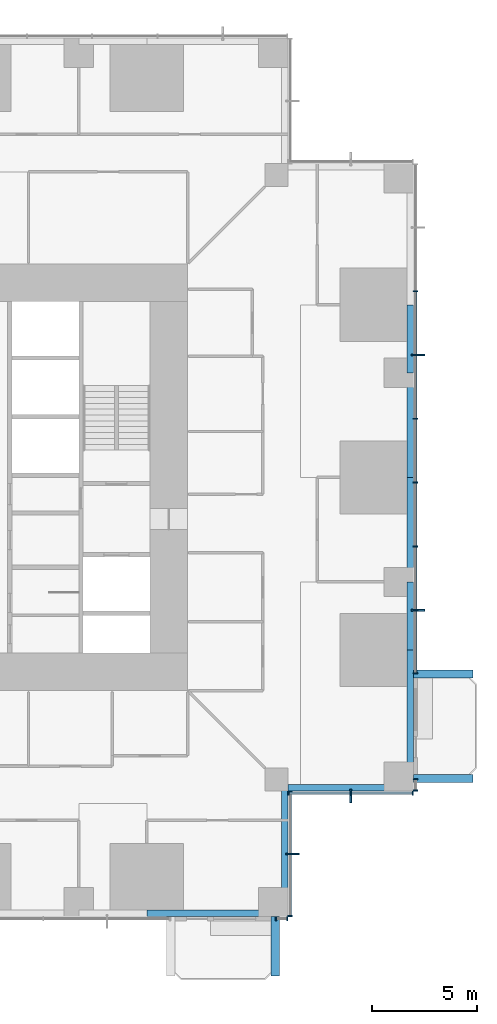
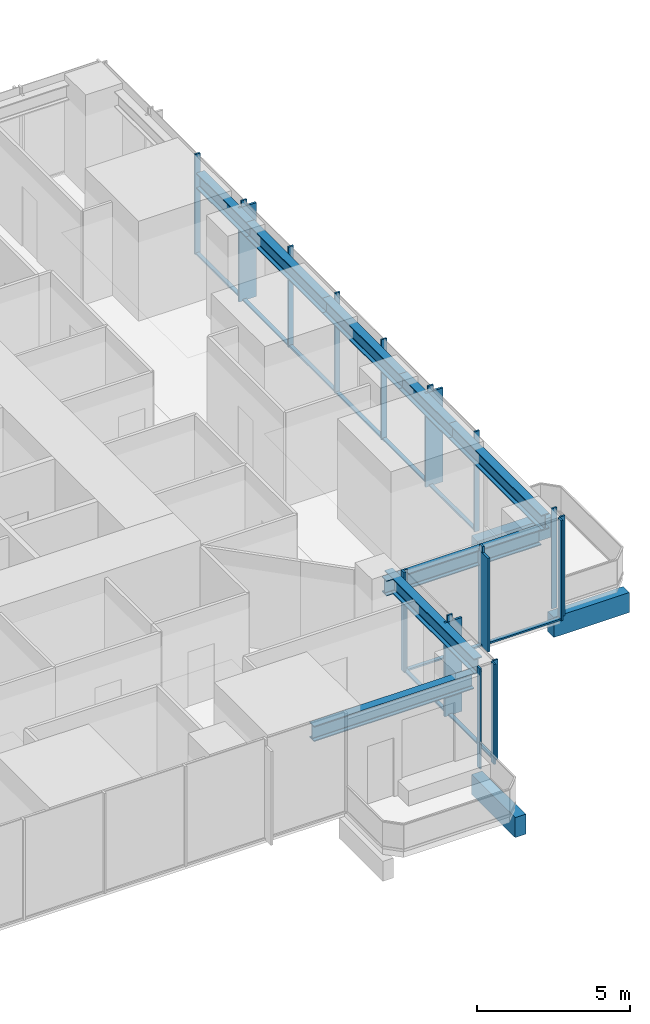
# One storey, part 4 of 16: 31 members, 11 beams, 5 elements without a shape of their own.
"""IFC4 building model written with IfcOpenShell, lengths in metres."""

from ifc_helpers import new_model, si_unit, direction, frame, origin, origin_2d, place, context, subcontext, project, spatial, rectangle, i_section, extrude, material, material_profile, profile_set, type_object, element, aggregate, save


model = new_model("IFC4")

# Units and contexts
model_context = context("Model", 3, precision=1e-05, world=origin(), true_north=direction((0.0, 1.0)))
body_context = subcontext(model_context, "Body", "Model", "MODEL_VIEW")
ifc_project = project(units=[si_unit("LENGTHUNIT", "METRE"), si_unit("AREAUNIT", "SQUARE_METRE"), si_unit("VOLUMEUNIT", "CUBIC_METRE"), si_unit("PLANEANGLEUNIT", "RADIAN"), si_unit("MASSUNIT", "GRAM", prefix="KILO")], contexts=[model_context])

# Site, building, storey
site_placement = place(None, origin())
site = spatial("IfcSite", under=ifc_project, at=site_placement, CompositionType="ELEMENT")
building_placement = place(site_placement, origin())
building = spatial("IfcBuilding", under=site, at=building_placement, Name="Svetlomir Tower", CompositionType="ELEMENT")
storey_placement = place(building_placement, frame((0.0, 0.0, 50.5)))
storey = spatial("IfcBuildingStorey", under=building, at=storey_placement, Name="L11", CompositionType="ELEMENT", Elevation=50.5)

# Beams
ifc_material_1 = material(Name="Concrete C60/75", Category="concrete")
ifc_material_profile_1 = material_profile(ifc_material_1, rectangle(XDim=0.39990234375, YDim=0.800048828125, at=origin_2d()), Name="RC 400x800")
ifc_profile_set_1 = profile_set([ifc_material_profile_1], Name="Concrete C60/75")
beam_type_1 = type_object("IfcBeamType", Name="BALCONY RIB RC 400x800", PredefinedType="BEAM", material=ifc_profile_set_1)
for number, where, z_axis, x_axis, name in (
    (1, (35.39990234375, 0.0, -0.64990234375), (0.0, -1.0, 0.0), (1.0, 0.0, 0.0), "Balcony rib S 2 L11"),
    (2, (42.0, 6.60009765625, -0.64990234375), (1.0, 0.0, 0.0), (0.0, 1.0, 0.0), "Balcony rib E 1 L11"),
    (3, (42.0, 11.60009765625, -0.64990234375), (1.0, 0.0, 0.0), (0.0, 1.0, 0.0), "Balcony rib E 2 L11"),
):
    element("IfcBeam", number, at=place(storey_placement, frame(where, z_axis=z_axis, x_axis=x_axis)), inside=storey, type_object=beam_type_1, Name=name, PredefinedType="BEAM", context=body_context, shape_type="SweptSolid", body=[
        extrude(rectangle(XDim=0.39990234375, YDim=0.800048828125, at=origin_2d()), origin(), (0.0, 0.0, 1.0), 2.85009765625),
    ])

# Curtain wall, member
ifc_material_2 = material(Name="Bronze anodised aluminium curtain wall", Category="aluminium")
curtain_wall_type = type_object("IfcCurtainWallType", Name="CURTAIN WALL CW1 TOWER OFFICE", PredefinedType="NOTDEFINED", material=ifc_material_2)
curtain_wall_1_placement = place(storey_placement, origin())
curtain_wall_1 = element("IfcCurtainWall", 4, at=curtain_wall_1_placement, inside=storey, type_object=curtain_wall_type, Name="Curtain wall CW1 L11", PredefinedType="NOTDEFINED")
ifc_material_3 = material(Name="Bronze anodised aluminium", Category="aluminium")
ifc_material_profile_2 = material_profile(ifc_material_3, rectangle(XDim=0.080078125, YDim=0.64990234375, at=origin_2d()), Name="FIN 80x650")
ifc_profile_set_2 = profile_set([ifc_material_profile_2], Name="Bronze anodised aluminium 6063-T6")
member_type_1 = type_object("IfcMemberType", Name="BRONZE FIN 80x650", PredefinedType="USERDEFINED", material=ifc_profile_set_2)
member_1_placement = place(storey_placement, frame((36.22509765625, 3.0, 0.0), z_axis=(0.0, 0.0, 1.0), x_axis=(0.0, 1.0, 0.0)))
member_1 = element("IfcMember", 5, at=member_1_placement, type_object=member_type_1, Name="Bronze fin L11", ObjectType="FIN", PredefinedType="USERDEFINED", context=body_context, shape_type="SweptSolid", body=[
    extrude(rectangle(XDim=0.080078125, YDim=0.64990234375, at=origin_2d()), origin(), (0.0, 0.0, 1.0), 3.75),
])

curtain_wall_2_placement = place(storey_placement, origin())
curtain_wall_2 = element("IfcCurtainWall", 6, at=curtain_wall_2_placement, inside=storey, type_object=curtain_wall_type, Name="Curtain wall CW1 L11", PredefinedType="NOTDEFINED")
member_2_placement = place(storey_placement, frame((39.0, 5.77490234375, 0.0), z_axis=(0.0, 0.0, 1.0), x_axis=(1.0, 0.0, 0.0)))
member_2 = element("IfcMember", 7, at=member_2_placement, type_object=member_type_1, Name="Bronze fin L11", ObjectType="FIN", PredefinedType="USERDEFINED", context=body_context, shape_type="SweptSolid", body=[
    extrude(rectangle(XDim=0.080078125, YDim=0.64990234375, at=origin_2d()), origin(), (0.0, 0.0, 1.0), 3.75),
])

# Curtain wall, members
curtain_wall_3_placement = place(storey_placement, origin())
curtain_wall_3 = element("IfcCurtainWall", 8, at=curtain_wall_3_placement, inside=storey, type_object=curtain_wall_type, Name="Curtain wall CW1 L11", PredefinedType="NOTDEFINED")
member_3_placement = place(storey_placement, frame((42.22509765625, 14.64990234375, 0.0), z_axis=(0.0, 0.0, 1.0), x_axis=(0.0, 1.0, 0.0)))
member_3 = element("IfcMember", 9, at=member_3_placement, type_object=member_type_1, Name="Bronze fin L11", ObjectType="FIN", PredefinedType="USERDEFINED", context=body_context, shape_type="SweptSolid", body=[
    extrude(rectangle(XDim=0.080078125, YDim=0.64990234375, at=origin_2d()), origin(), (0.0, 0.0, 1.0), 3.75),
])
member_4_placement = place(storey_placement, frame((42.22509765625, 26.85009765625, 0.0), z_axis=(0.0, 0.0, 1.0), x_axis=(0.0, 1.0, 0.0)))
member_4 = element("IfcMember", 10, at=member_4_placement, type_object=member_type_1, Name="Bronze fin L11", ObjectType="FIN", PredefinedType="USERDEFINED", context=body_context, shape_type="SweptSolid", body=[
    extrude(rectangle(XDim=0.080078125, YDim=0.64990234375, at=origin_2d()), origin(), (0.0, 0.0, 1.0), 3.75),
])

curtain_wall_4_placement = place(storey_placement, origin())
curtain_wall_4 = element("IfcCurtainWall", 11, at=curtain_wall_4_placement, inside=storey, type_object=curtain_wall_type, Name="Curtain wall CW1 L11", PredefinedType="NOTDEFINED")
ifc_material_4 = material(Name="Bronze anodised aluminium", Category="aluminium")
ifc_material_profile_3 = material_profile(ifc_material_4, rectangle(XDim=0.06494140625, YDim=0.199951171875, at=origin_2d()), Name="AL 65x200")
ifc_profile_set_3 = profile_set([ifc_material_profile_3], Name="Bronze anodised aluminium 6063-T6")
member_type_2 = type_object("IfcMemberType", Name="CW1 MULLION 65x200", PredefinedType="MULLION", material=ifc_profile_set_3)
member_5_placement = place(storey_placement, frame((35.4326171875, -0.10009765625, 0.0), z_axis=(0.0, 0.0, 1.0), x_axis=(1.0, 0.0, 0.0)))
member_5 = element("IfcMember", 12, at=member_5_placement, type_object=member_type_2, Name="CW1 mullion 1", PredefinedType="MULLION", context=body_context, shape_type="SweptSolid", body=[
    extrude(rectangle(XDim=0.06494140625, YDim=0.199951171875, at=origin_2d()), origin(), (0.0, 0.0, 1.0), 4.0),
])
member_6_placement = place(storey_placement, frame((35.967529296875, -0.10009765625, 0.0), z_axis=(0.0, 0.0, 1.0), x_axis=(1.0, 0.0, 0.0)))
member_6 = element("IfcMember", 13, at=member_6_placement, type_object=member_type_2, Name="CW1 mullion 2", PredefinedType="MULLION", context=body_context, shape_type="SweptSolid", body=[
    extrude(rectangle(XDim=0.06494140625, YDim=0.199951171875, at=origin_2d()), origin(), (0.0, 0.0, 1.0), 4.0),
])
aggregate(curtain_wall_4, [member_5, member_6])

# Member
member_7_placement = place(storey_placement, frame((36.10009765625, 0.032470703125, 0.0), z_axis=(0.0, 0.0, 1.0), x_axis=(0.0, 1.0, 0.0)))
member_7 = element("IfcMember", 14, at=member_7_placement, type_object=member_type_2, Name="CW1 mullion 1", PredefinedType="MULLION", context=body_context, shape_type="SweptSolid", body=[
    extrude(rectangle(XDim=0.06494140625, YDim=0.199951171875, at=origin_2d()), origin(), (0.0, 0.0, 1.0), 4.0),
])

member_8_placement = place(storey_placement, frame((36.10009765625, 3.0, 0.0), z_axis=(0.0, 0.0, 1.0), x_axis=(0.0, 1.0, 0.0)))
member_8 = element("IfcMember", 15, at=member_8_placement, type_object=member_type_2, Name="CW1 mullion 2", PredefinedType="MULLION", context=body_context, shape_type="SweptSolid", body=[
    extrude(rectangle(XDim=0.06494140625, YDim=0.199951171875, at=origin_2d()), origin(), (0.0, 0.0, 1.0), 4.0),
])

member_9_placement = place(storey_placement, frame((36.10009765625, 5.967529296875, 0.0), z_axis=(0.0, 0.0, 1.0), x_axis=(0.0, 1.0, 0.0)))
member_9 = element("IfcMember", 16, at=member_9_placement, type_object=member_type_2, Name="CW1 mullion 3", PredefinedType="MULLION", context=body_context, shape_type="SweptSolid", body=[
    extrude(rectangle(XDim=0.06494140625, YDim=0.199951171875, at=origin_2d()), origin(), (0.0, 0.0, 1.0), 4.0),
])

member_10_placement = place(storey_placement, frame((36.032470703125, 5.89990234375, 0.0), z_axis=(0.0, 0.0, 1.0), x_axis=(1.0, 0.0, 0.0)))
member_10 = element("IfcMember", 17, at=member_10_placement, type_object=member_type_2, Name="CW1 mullion 1", PredefinedType="MULLION", context=body_context, shape_type="SweptSolid", body=[
    extrude(rectangle(XDim=0.06494140625, YDim=0.199951171875, at=origin_2d()), origin(), (0.0, 0.0, 1.0), 4.0),
])

member_11_placement = place(storey_placement, frame((39.0, 5.89990234375, 0.0), z_axis=(0.0, 0.0, 1.0), x_axis=(1.0, 0.0, 0.0)))
member_11 = element("IfcMember", 18, at=member_11_placement, type_object=member_type_2, Name="CW1 mullion 2", PredefinedType="MULLION", context=body_context, shape_type="SweptSolid", body=[
    extrude(rectangle(XDim=0.06494140625, YDim=0.199951171875, at=origin_2d()), origin(), (0.0, 0.0, 1.0), 4.0),
])

member_12_placement = place(storey_placement, frame((41.967529296875, 5.89990234375, 0.0), z_axis=(0.0, 0.0, 1.0), x_axis=(1.0, 0.0, 0.0)))
member_12 = element("IfcMember", 19, at=member_12_placement, type_object=member_type_2, Name="CW1 mullion 3", PredefinedType="MULLION", context=body_context, shape_type="SweptSolid", body=[
    extrude(rectangle(XDim=0.06494140625, YDim=0.199951171875, at=origin_2d()), origin(), (0.0, 0.0, 1.0), 4.0),
])

# Curtain wall, members
curtain_wall_5_placement = place(storey_placement, origin())
curtain_wall_5 = element("IfcCurtainWall", 20, at=curtain_wall_5_placement, inside=storey, type_object=curtain_wall_type, Name="Curtain wall CW1 L11", PredefinedType="NOTDEFINED")
member_13_placement = place(storey_placement, frame((42.10009765625, 6.032470703125, 0.0), z_axis=(0.0, 0.0, 1.0), x_axis=(0.0, 1.0, 0.0)))
member_13 = element("IfcMember", 21, at=member_13_placement, type_object=member_type_2, Name="CW1 mullion 1", PredefinedType="MULLION", context=body_context, shape_type="SweptSolid", body=[
    extrude(rectangle(XDim=0.06494140625, YDim=0.199951171875, at=origin_2d()), origin(), (0.0, 0.0, 1.0), 4.0),
])
member_14_placement = place(storey_placement, frame((42.10009765625, 6.5673828125, 0.0), z_axis=(0.0, 0.0, 1.0), x_axis=(0.0, 1.0, 0.0)))
member_14 = element("IfcMember", 22, at=member_14_placement, type_object=member_type_2, Name="CW1 mullion 2", PredefinedType="MULLION", context=body_context, shape_type="SweptSolid", body=[
    extrude(rectangle(XDim=0.06494140625, YDim=0.199951171875, at=origin_2d()), origin(), (0.0, 0.0, 1.0), 4.0),
])
aggregate(curtain_wall_5, [member_13, member_14])

# Member
member_15_placement = place(storey_placement, frame((42.10009765625, 11.632568359375, 0.0), z_axis=(0.0, 0.0, 1.0), x_axis=(0.0, 1.0, 0.0)))
member_15 = element("IfcMember", 23, at=member_15_placement, type_object=member_type_2, Name="CW1 mullion 1", PredefinedType="MULLION", context=body_context, shape_type="SweptSolid", body=[
    extrude(rectangle(XDim=0.06494140625, YDim=0.199951171875, at=origin_2d()), origin(), (0.0, 0.0, 1.0), 4.0),
])

member_16_placement = place(storey_placement, frame((42.10009765625, 14.64990234375, 0.0), z_axis=(0.0, 0.0, 1.0), x_axis=(0.0, 1.0, 0.0)))
member_16 = element("IfcMember", 24, at=member_16_placement, type_object=member_type_2, Name="CW1 mullion 2", PredefinedType="MULLION", context=body_context, shape_type="SweptSolid", body=[
    extrude(rectangle(XDim=0.06494140625, YDim=0.199951171875, at=origin_2d()), origin(), (0.0, 0.0, 1.0), 4.0),
])

member_17_placement = place(storey_placement, frame((42.10009765625, 17.699951171875, 0.0), z_axis=(0.0, 0.0, 1.0), x_axis=(0.0, 1.0, 0.0)))
member_17 = element("IfcMember", 25, at=member_17_placement, type_object=member_type_2, Name="CW1 mullion 3", PredefinedType="MULLION", context=body_context, shape_type="SweptSolid", body=[
    extrude(rectangle(XDim=0.06494140625, YDim=0.199951171875, at=origin_2d()), origin(), (0.0, 0.0, 1.0), 4.0),
])

member_18_placement = place(storey_placement, frame((42.10009765625, 20.75, 0.0), z_axis=(0.0, 0.0, 1.0), x_axis=(0.0, 1.0, 0.0)))
member_18 = element("IfcMember", 26, at=member_18_placement, type_object=member_type_2, Name="CW1 mullion 4", PredefinedType="MULLION", context=body_context, shape_type="SweptSolid", body=[
    extrude(rectangle(XDim=0.06494140625, YDim=0.199951171875, at=origin_2d()), origin(), (0.0, 0.0, 1.0), 4.0),
])

member_19_placement = place(storey_placement, frame((42.10009765625, 23.800048828125, 0.0), z_axis=(0.0, 0.0, 1.0), x_axis=(0.0, 1.0, 0.0)))
member_19 = element("IfcMember", 27, at=member_19_placement, type_object=member_type_2, Name="CW1 mullion 5", PredefinedType="MULLION", context=body_context, shape_type="SweptSolid", body=[
    extrude(rectangle(XDim=0.06494140625, YDim=0.199951171875, at=origin_2d()), origin(), (0.0, 0.0, 1.0), 4.0),
])

member_20_placement = place(storey_placement, frame((42.10009765625, 26.85009765625, 0.0), z_axis=(0.0, 0.0, 1.0), x_axis=(0.0, 1.0, 0.0)))
member_20 = element("IfcMember", 28, at=member_20_placement, type_object=member_type_2, Name="CW1 mullion 6", PredefinedType="MULLION", context=body_context, shape_type="SweptSolid", body=[
    extrude(rectangle(XDim=0.06494140625, YDim=0.199951171875, at=origin_2d()), origin(), (0.0, 0.0, 1.0), 4.0),
])

member_21_placement = place(storey_placement, frame((42.10009765625, 29.89990234375, 0.0), z_axis=(0.0, 0.0, 1.0), x_axis=(0.0, 1.0, 0.0)))
member_21 = element("IfcMember", 29, at=member_21_placement, type_object=member_type_2, Name="CW1 mullion 7", PredefinedType="MULLION", context=body_context, shape_type="SweptSolid", body=[
    extrude(rectangle(XDim=0.06494140625, YDim=0.199951171875, at=origin_2d()), origin(), (0.0, 0.0, 1.0), 4.0),
])

ifc_material_5 = material(Name="Bronze anodised aluminium", Category="aluminium")
ifc_material_profile_4 = material_profile(ifc_material_5, rectangle(XDim=0.139892578125, YDim=0.06494140625, at=origin_2d()), Name="AL 140x65")
ifc_profile_set_4 = profile_set([ifc_material_profile_4], Name="Bronze anodised aluminium 6063-T6")
member_type_3 = type_object("IfcMemberType", Name="CW1 TRANSOM 65x140", PredefinedType="USERDEFINED", material=ifc_profile_set_4)
member_22_placement = place(storey_placement, frame((36.10009765625, 0.06494140625, 0.032470703125), z_axis=(0.0, 1.0, 0.0), x_axis=(-1.0, 0.0, 0.0)))
member_22 = element("IfcMember", 30, at=member_22_placement, type_object=member_type_3, Name="CW1 transom 1.1", ObjectType="TRANSOM", PredefinedType="USERDEFINED", context=body_context, shape_type="SweptSolid", body=[
    extrude(rectangle(XDim=0.139892578125, YDim=0.06494140625, at=origin_2d()), origin(), (0.0, 0.0, 1.0), 2.902587890625),
])

member_23_placement = place(storey_placement, frame((36.10009765625, 3.032470703125, 0.032470703125), z_axis=(0.0, 1.0, 0.0), x_axis=(-1.0, 0.0, 0.0)))
member_23 = element("IfcMember", 31, at=member_23_placement, type_object=member_type_3, Name="CW1 transom 2.1", ObjectType="TRANSOM", PredefinedType="USERDEFINED", context=body_context, shape_type="SweptSolid", body=[
    extrude(rectangle(XDim=0.139892578125, YDim=0.06494140625, at=origin_2d()), origin(), (0.0, 0.0, 1.0), 2.902587890625),
])

aggregate(curtain_wall_1, [member_7, member_8, member_9, member_22, member_23, member_1])

member_24_placement = place(storey_placement, frame((36.06494140625, 5.89990234375, 0.032470703125), z_axis=(1.0, 0.0, 0.0), x_axis=(0.0, 1.0, 0.0)))
member_24 = element("IfcMember", 32, at=member_24_placement, type_object=member_type_3, Name="CW1 transom 1.1", ObjectType="TRANSOM", PredefinedType="USERDEFINED", context=body_context, shape_type="SweptSolid", body=[
    extrude(rectangle(XDim=0.139892578125, YDim=0.06494140625, at=origin_2d()), origin(), (0.0, 0.0, 1.0), 2.902587890625),
])

member_25_placement = place(storey_placement, frame((39.032470703125, 5.89990234375, 0.032470703125), z_axis=(1.0, 0.0, 0.0), x_axis=(0.0, 1.0, 0.0)))
member_25 = element("IfcMember", 33, at=member_25_placement, type_object=member_type_3, Name="CW1 transom 2.1", ObjectType="TRANSOM", PredefinedType="USERDEFINED", context=body_context, shape_type="SweptSolid", body=[
    extrude(rectangle(XDim=0.139892578125, YDim=0.06494140625, at=origin_2d()), origin(), (0.0, 0.0, 1.0), 2.902587890625),
])

aggregate(curtain_wall_2, [member_10, member_11, member_12, member_24, member_25, member_2])

member_26_placement = place(storey_placement, frame((42.10009765625, 11.6650390625, 0.032470703125), z_axis=(0.0, 1.0, 0.0), x_axis=(-1.0, 0.0, 0.0)))
member_26 = element("IfcMember", 34, at=member_26_placement, type_object=member_type_3, Name="CW1 transom 1.1", ObjectType="TRANSOM", PredefinedType="USERDEFINED", context=body_context, shape_type="SweptSolid", body=[
    extrude(rectangle(XDim=0.139892578125, YDim=0.06494140625, at=origin_2d()), origin(), (0.0, 0.0, 1.0), 2.952392578125),
])

member_27_placement = place(storey_placement, frame((42.10009765625, 14.6826171875, 0.032470703125), z_axis=(0.0, 1.0, 0.0), x_axis=(-1.0, 0.0, 0.0)))
member_27 = element("IfcMember", 35, at=member_27_placement, type_object=member_type_3, Name="CW1 transom 2.1", ObjectType="TRANSOM", PredefinedType="USERDEFINED", context=body_context, shape_type="SweptSolid", body=[
    extrude(rectangle(XDim=0.139892578125, YDim=0.06494140625, at=origin_2d()), origin(), (0.0, 0.0, 1.0), 2.98486328125),
])

member_28_placement = place(storey_placement, frame((42.10009765625, 17.732421875, 0.032470703125), z_axis=(0.0, 1.0, 0.0), x_axis=(-1.0, 0.0, 0.0)))
member_28 = element("IfcMember", 36, at=member_28_placement, type_object=member_type_3, Name="CW1 transom 3.1", ObjectType="TRANSOM", PredefinedType="USERDEFINED", context=body_context, shape_type="SweptSolid", body=[
    extrude(rectangle(XDim=0.139892578125, YDim=0.06494140625, at=origin_2d()), origin(), (0.0, 0.0, 1.0), 2.985107421875),
])

member_29_placement = place(storey_placement, frame((42.10009765625, 20.782470703125, 0.032470703125), z_axis=(0.0, 1.0, 0.0), x_axis=(-1.0, 0.0, 0.0)))
member_29 = element("IfcMember", 37, at=member_29_placement, type_object=member_type_3, Name="CW1 transom 4.1", ObjectType="TRANSOM", PredefinedType="USERDEFINED", context=body_context, shape_type="SweptSolid", body=[
    extrude(rectangle(XDim=0.139892578125, YDim=0.06494140625, at=origin_2d()), origin(), (0.0, 0.0, 1.0), 2.985107421875),
])

member_30_placement = place(storey_placement, frame((42.10009765625, 23.83251953125, 0.032470703125), z_axis=(0.0, 1.0, 0.0), x_axis=(-1.0, 0.0, 0.0)))
member_30 = element("IfcMember", 38, at=member_30_placement, type_object=member_type_3, Name="CW1 transom 5.1", ObjectType="TRANSOM", PredefinedType="USERDEFINED", context=body_context, shape_type="SweptSolid", body=[
    extrude(rectangle(XDim=0.139892578125, YDim=0.06494140625, at=origin_2d()), origin(), (0.0, 0.0, 1.0), 2.98486328125),
])

member_31_placement = place(storey_placement, frame((42.10009765625, 26.882568359375, 0.032470703125), z_axis=(0.0, 1.0, 0.0), x_axis=(-1.0, 0.0, 0.0)))
member_31 = element("IfcMember", 39, at=member_31_placement, type_object=member_type_3, Name="CW1 transom 6.1", ObjectType="TRANSOM", PredefinedType="USERDEFINED", context=body_context, shape_type="SweptSolid", body=[
    extrude(rectangle(XDim=0.139892578125, YDim=0.06494140625, at=origin_2d()), origin(), (0.0, 0.0, 1.0), 2.98486328125),
])

aggregate(curtain_wall_3, [member_15, member_16, member_17, member_18, member_19, member_20, member_21, member_26, member_27, member_28, member_29, member_30, member_31, member_3, member_4])

# Beams
ifc_material_6 = material(Name="Steel S355", Category="steel")
ifc_material_profile_5 = material_profile(ifc_material_6, i_section(OverallWidth=0.304931640625, OverallDepth=0.6201171875, WebThickness=0.02099609375, FlangeThickness=0.0400390625, FilletRadius=0.027099609375, at=origin_2d()), Name="HEM 600")
ifc_profile_set_5 = profile_set([ifc_material_profile_5], Name="Steel S355")
beam_type_2 = type_object("IfcBeamType", Name="EDGE BEAM HEM 600", PredefinedType="SPANDREL", material=ifc_profile_set_5)
beam_1_placement = place(storey_placement, frame((41.847412109375, 6.699951171875, 3.43994140625), z_axis=(0.0, 1.0, 0.0), x_axis=(-1.0, 0.0, 0.0)))
element("IfcBeam", 40, at=beam_1_placement, inside=storey, type_object=beam_type_2, Name="Edge beam 42/6 to 42/11 under L12", PredefinedType="SPANDREL", context=body_context, shape_type="SweptSolid", body=[
    extrude(i_section(OverallWidth=0.304931640625, OverallDepth=0.6201171875, WebThickness=0.02099609375, FlangeThickness=0.0400390625, FilletRadius=0.027099609375, at=origin_2d()), origin(), (0.0, 0.0, 1.0), 6.050048828125),
])
beam_2_placement = place(storey_placement, frame((41.847412109375, 12.75, 3.43994140625), z_axis=(0.0, 1.0, 0.0), x_axis=(-1.0, 0.0, 0.0)))
element("IfcBeam", 41, at=beam_2_placement, inside=storey, type_object=beam_type_2, Name="Edge beam 42/11 to 42/16 under L12", PredefinedType="SPANDREL", context=body_context, shape_type="SweptSolid", body=[
    extrude(i_section(OverallWidth=0.304931640625, OverallDepth=0.6201171875, WebThickness=0.02099609375, FlangeThickness=0.0400390625, FilletRadius=0.027099609375, at=origin_2d()), origin(), (0.0, 0.0, 1.0), 3.25),
])
for number, where, z_axis, x_axis, name in (
    (42, (41.847412109375, 16.0, 3.43994140625), (0.0, 1.0, 0.0), (-1.0, 0.0, 0.0), "Edge beam 42/16 to 42/21 under L12"),
    (43, (41.847412109375, 21.0, 3.43994140625), (0.0, 1.0, 0.0), (-1.0, 0.0, 0.0), "Edge beam 42/21 to 42/26 under L12"),
):
    element("IfcBeam", number, at=place(storey_placement, frame(where, z_axis=z_axis, x_axis=x_axis)), inside=storey, type_object=beam_type_2, Name=name, PredefinedType="SPANDREL", context=body_context, shape_type="SweptSolid", body=[
        extrude(i_section(OverallWidth=0.304931640625, OverallDepth=0.6201171875, WebThickness=0.02099609375, FlangeThickness=0.0400390625, FilletRadius=0.027099609375, at=origin_2d()), origin(), (0.0, 0.0, 1.0), 5.0),
    ])
beam_3_placement = place(storey_placement, frame((41.847412109375, 26.0, 3.43994140625), z_axis=(0.0, 1.0, 0.0), x_axis=(-1.0, 0.0, 0.0)))
element("IfcBeam", 44, at=beam_3_placement, inside=storey, type_object=beam_type_2, Name="Edge beam 42/26 to 42/31 under L12", PredefinedType="SPANDREL", context=body_context, shape_type="SweptSolid", body=[
    extrude(i_section(OverallWidth=0.304931640625, OverallDepth=0.6201171875, WebThickness=0.02099609375, FlangeThickness=0.0400390625, FilletRadius=0.027099609375, at=origin_2d()), origin(), (0.0, 0.0, 1.0), 3.25),
])
beam_4_placement = place(storey_placement, frame((29.25, 0.152587890625, 3.43994140625), z_axis=(1.0, 0.0, 0.0), x_axis=(0.0, 1.0, 0.0)))
element("IfcBeam", 45, at=beam_4_placement, inside=storey, type_object=beam_type_2, Name="Edge beam 31/0 to 36/0 under L12", PredefinedType="SPANDREL", context=body_context, shape_type="SweptSolid", body=[
    extrude(i_section(OverallWidth=0.304931640625, OverallDepth=0.6201171875, WebThickness=0.02099609375, FlangeThickness=0.0400390625, FilletRadius=0.027099609375, at=origin_2d()), origin(), (0.0, 0.0, 1.0), 6.050048828125),
])
for number, where, z_axis, x_axis, name in (
    (46, (35.847412109375, 0.699951171875, 3.43994140625), (0.0, 1.0, 0.0), (-1.0, 0.0, 0.0), "Edge beam 36/0 to 36/6 under L12"),
    (47, (41.300048828125, 6.152587890625, 3.43994140625), (-1.0, 0.0, 0.0), (0.0, -1.0, 0.0), "Edge beam 42/6 to 36/6 under L12"),
):
    element("IfcBeam", number, at=place(storey_placement, frame(where, z_axis=z_axis, x_axis=x_axis)), inside=storey, type_object=beam_type_2, Name=name, PredefinedType="SPANDREL", context=body_context, shape_type="SweptSolid", body=[
        extrude(i_section(OverallWidth=0.304931640625, OverallDepth=0.6201171875, WebThickness=0.02099609375, FlangeThickness=0.0400390625, FilletRadius=0.027099609375, at=origin_2d()), origin(), (0.0, 0.0, 1.0), 5.85009765625),
    ])

save(model, "model.ifc")
